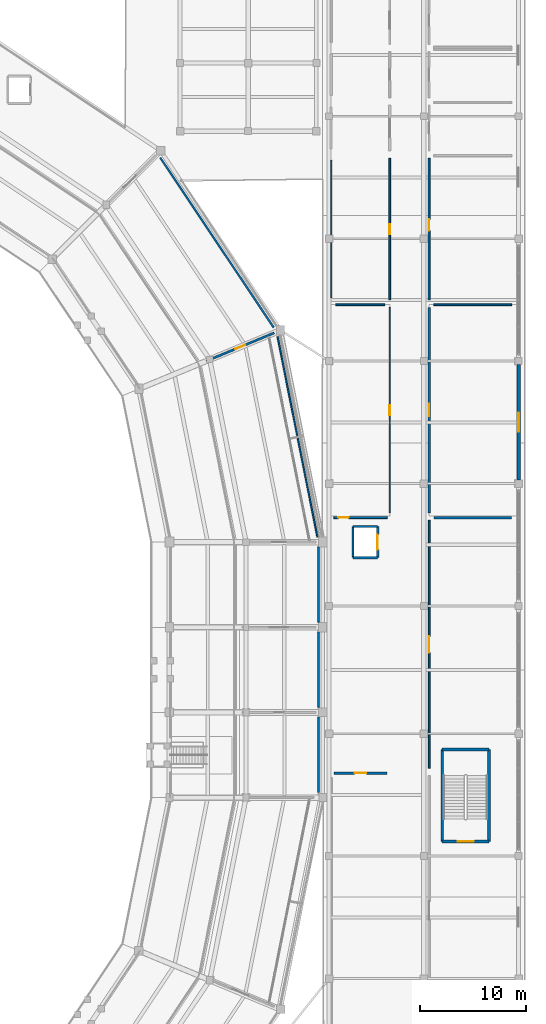
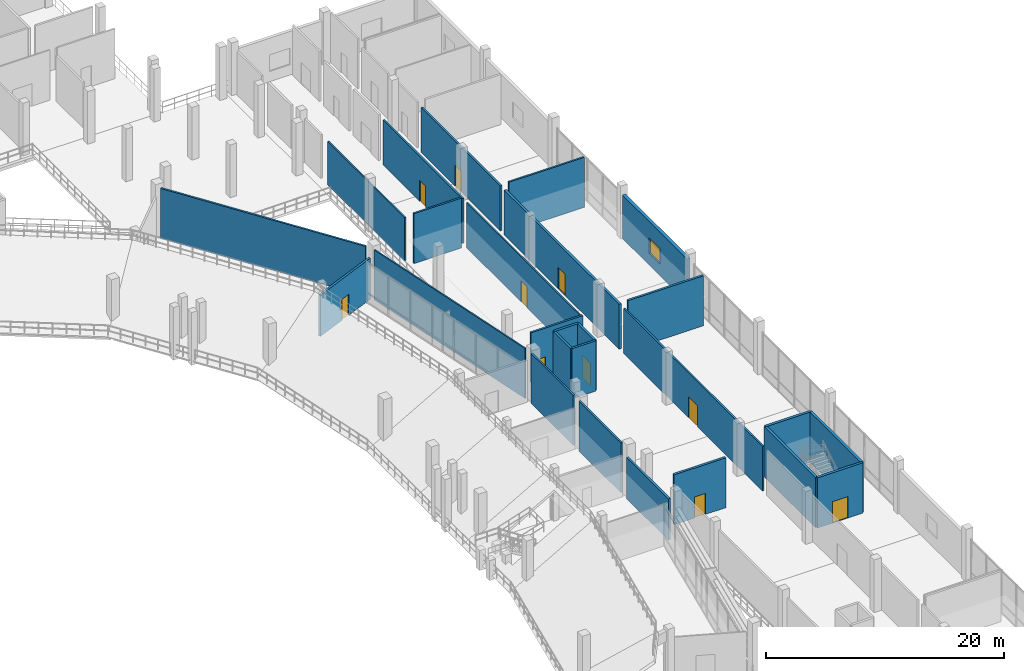
# One storey, part 81 of 127: 26 walls, 10 doors, 1 window, 11 openings.
"""IFC4 building model written with IfcOpenShell, lengths in metres."""

import ifcopenshell
import ifcopenshell.guid

model = None  # the IFC model being written
_history = None  # IfcOwnerHistory: only IFC2X3 demands one
_inside = {}  # id of a spatial element -> (the spatial element, [elements in it])
_under = {}  # id of a project, library or spatial element -> (it, [spatial elements below it])
_declared = {}  # id of a project -> (the project, [libraries it declares])
_typed = {}  # id of a type object -> (the type object, [elements of that type])
_made_of = {}  # id of a material, layer set ... -> (it, [elements and type objects made of it])


def new_model(schema):
    """Start an empty IFC model of exactly this schema.

    Asked for "IFC4X3", IfcOpenShell would pick the latest addendum, in which some entities
    have other attributes; the version numbers below select the first issue.
    IFC2X3 requires an IfcOwnerHistory on every rooted entity: one is made here for all.
    """
    global model, _history
    if schema == "IFC4X3":
        model = ifcopenshell.file(schema_version=(4, 3, 0, 0))
    else:
        model = ifcopenshell.file(schema=schema)
    _inside.clear()
    _under.clear()
    _declared.clear()
    _typed.clear()
    _made_of.clear()
    _history = None
    if model.schema == "IFC2X3":
        org = make("IfcOrganization", Name="unknown")
        user = make(
            "IfcPersonAndOrganization",
            ThePerson=make("IfcPerson", FamilyName="unknown"),
            TheOrganization=org,
        )
        app = make(
            "IfcApplication",
            ApplicationDeveloper=org,
            Version="unknown",
            ApplicationFullName="unknown",
            ApplicationIdentifier="unknown",
        )
        _history = make(
            "IfcOwnerHistory",
            OwningUser=user,
            OwningApplication=app,
            ChangeAction="ADDED",
            CreationDate=0,
        )
    return model


def make(cls, **values):
    """One entity of the class cls with the attributes given. An attribute that is None is left unset."""
    return model.create_entity(
        cls, **{name: value for name, value in values.items() if value is not None}
    )


def rooted(cls, **values):
    """An entity with a GlobalId (a new one), such as an element, a storey or a relation."""
    return make(cls, GlobalId=ifcopenshell.guid.new(), OwnerHistory=_history, **values)


def si_unit(unit_type, name, prefix=None):
    """IfcSIUnit, for example si_unit("LENGTHUNIT", "METRE", prefix="MILLI")."""
    return make("IfcSIUnit", UnitType=unit_type, Prefix=prefix, Name=name)


def assignment(units):
    """IfcUnitAssignment: the units of a project."""
    return None if units is None else make("IfcUnitAssignment", Units=units)


def point(xyz):
    """IfcCartesianPoint."""
    return None if xyz is None else make("IfcCartesianPoint", Coordinates=xyz)


def direction(xyz):
    """IfcDirection."""
    return None if xyz is None else make("IfcDirection", DirectionRatios=xyz)


def frame(location, z_axis=None, x_axis=None):
    """IfcAxis2Placement3D, a coordinate frame: its origin and axes. An axis left out is left unset."""
    return make(
        "IfcAxis2Placement3D",
        Location=point(location),
        Axis=direction(z_axis),
        RefDirection=direction(x_axis),
    )


def frame_2d(location, x_axis=None):
    """IfcAxis2Placement2D, a coordinate frame in the plane: its origin and x axis."""
    return make(
        "IfcAxis2Placement2D", Location=point(location), RefDirection=direction(x_axis)
    )


def origin():
    """The frame at (0, 0, 0) with its axes left unset."""
    return frame((0.0, 0.0, 0.0))


def place(relative_to, where):
    """IfcLocalPlacement: puts the frame where relative to a parent placement (None: the world)."""
    return make(
        "IfcLocalPlacement", PlacementRelTo=relative_to, RelativePlacement=where
    )


def context(
    kind, dimensions, precision=None, world=None, true_north=None, identifier=None
):
    """IfcGeometricRepresentationContext, for example the 3D "Model" context."""
    return make(
        "IfcGeometricRepresentationContext",
        ContextIdentifier=identifier,
        ContextType=kind,
        CoordinateSpaceDimension=dimensions,
        Precision=precision,
        WorldCoordinateSystem=world,
        TrueNorth=true_north,
    )


def subcontext(parent, identifier, kind, view, scale=None):
    """IfcGeometricRepresentationSubContext, for example "Body" below "Model"."""
    return make(
        "IfcGeometricRepresentationSubContext",
        ContextIdentifier=identifier,
        ContextType=kind,
        ParentContext=parent,
        TargetScale=scale,
        TargetView=view,
    )


def project(units=None, contexts=None):
    """IfcProject with its units and contexts."""
    return rooted(
        "IfcProject",
        Name="project",
        RepresentationContexts=contexts,
        UnitsInContext=assignment(units),
    )


def spatial(cls, under=None, at=None, **own):
    """A site, building, storey or space (cls), placed at a placement, below another one or the project."""
    s = rooted(cls, ObjectPlacement=at, **own)
    if under is not None:
        _under.setdefault(under.id(), (under, []))[1].append(s)
    return s


def profile(cls, at=None, kind="AREA", **sizes):
    """A parametric profile (cls). Its sizes go by their IFC names, for example OverallWidth=200.0."""
    return make(cls, ProfileType=kind, Position=at, **sizes)


def rectangle(**sizes):
    """IfcRectangleProfileDef."""
    return profile("IfcRectangleProfileDef", **sizes)


def extrude(swept, where, along, depth):
    """IfcExtrudedAreaSolid: the profile swept, set in the frame where, extruded along a direction by depth."""
    return make(
        "IfcExtrudedAreaSolid",
        SweptArea=swept,
        Position=where,
        ExtrudedDirection=direction(along),
        Depth=depth,
    )


def shape(context_of_items, identifier, shape_type, items):
    """IfcShapeRepresentation: the items that make up one representation, for example the "Body"."""
    return make(
        "IfcShapeRepresentation",
        ContextOfItems=context_of_items,
        RepresentationIdentifier=identifier,
        RepresentationType=shape_type,
        Items=items,
    )


def material(Name=None, Category=None):
    """IfcMaterial."""
    return make("IfcMaterial", Name=Name, Category=Category)


def layer(
    of_material, thickness, ventilated=None, Name=None, Category=None, Priority=None
):
    """IfcMaterialLayer: one layer of a wall or slab, of a material (None: an air gap)."""
    return make(
        "IfcMaterialLayer",
        Material=of_material,
        LayerThickness=thickness,
        IsVentilated=ventilated,
        Name=Name,
        Category=Category,
        Priority=Priority,
    )


def layer_set(layers, Name=None):
    """IfcMaterialLayerSet."""
    return make("IfcMaterialLayerSet", MaterialLayers=layers, LayerSetName=Name)


def made_of(thing, what):
    """Note that an element or type object is made of a material, layer set ...; save() writes the relation."""
    if what is not None:
        _made_of.setdefault(what.id(), (what, []))[1].append(thing)
    return thing


def type_object(cls, material=None, **own):
    """A type object (cls), such as IfcWallType, which elements share."""
    return made_of(rooted(cls, **own), material)


def element(
    cls,
    number,
    at=None,
    inside=None,
    cuts=None,
    type_object=None,
    material=None,
    context=None,
    identifier="Body",
    shape_type=None,
    held_by="IfcProductDefinitionShape",
    body=None,
    shapes=None,
    **own,
):
    """One element of the class cls, such as IfcWall. Its Tag is "e" and its number.

    at: its placement. inside: the storey or other place that contains it. cuts: it is an
    opening in that element (IfcRelVoidsElement). A single representation is given by context,
    identifier, shape_type and body (its items); several are given by shapes. held_by: the class
    of the entity that holds the representations. save() writes the other relations.
    """
    e = rooted(cls, Tag="e%d" % number, ObjectPlacement=at, **own)
    if body is not None:
        shapes = [shape(context, identifier, shape_type, body)]
    if shapes is not None:
        e.Representation = make(held_by, Representations=shapes)
    if inside is not None:
        _inside.setdefault(inside.id(), (inside, []))[1].append(e)
    if cuts is not None:
        rooted(
            "IfcRelVoidsElement", RelatingBuildingElement=cuts, RelatedOpeningElement=e
        )
    if type_object is not None:
        _typed.setdefault(type_object.id(), (type_object, []))[1].append(e)
    return made_of(e, material)


def fill(opening, filler):
    """IfcRelFillsElement: the door or window that sits in an opening."""
    return rooted(
        "IfcRelFillsElement",
        RelatingOpeningElement=opening,
        RelatedBuildingElement=filler,
    )


def aggregate(whole, parts):
    """IfcRelAggregates: a whole, such as a stair, and the parts it consists of."""
    return rooted("IfcRelAggregates", RelatingObject=whole, RelatedObjects=parts)


def save(model, path):
    """Write the relations noted so far, then the file.

    IfcRelAggregates (storeys below a building ...), IfcRelContainedInSpatialStructure (elements
    in a storey), IfcRelDefinesByType, IfcRelAssociatesMaterial and IfcRelDeclares: one each for
    every whole, place, type object, material and project.
    """
    for whole, parts in _under.values():
        aggregate(whole, parts)
    for where, things in _inside.values():
        rooted(
            "IfcRelContainedInSpatialStructure",
            RelatedElements=things,
            RelatingStructure=where,
        )
    for kind, things in _typed.values():
        rooted("IfcRelDefinesByType", RelatedObjects=things, RelatingType=kind)
    for what, things in _made_of.values():
        rooted("IfcRelAssociatesMaterial", RelatedObjects=things, RelatingMaterial=what)
    for by, libraries in _declared.values():
        rooted("IfcRelDeclares", RelatingContext=by, RelatedDefinitions=libraries)
    model.write(path)


model = new_model("IFC4")

# Units and contexts
model_context = context("Model", 3, precision=1e-05, world=origin(), true_north=direction((0.0, 1.0)))
body_context = subcontext(model_context, "Body", "Model", "MODEL_VIEW")
ifc_project = project(units=[si_unit("LENGTHUNIT", "METRE"), si_unit("AREAUNIT", "SQUARE_METRE"), si_unit("VOLUMEUNIT", "CUBIC_METRE"), si_unit("PLANEANGLEUNIT", "RADIAN"), si_unit("MASSUNIT", "GRAM", prefix="KILO")], contexts=[model_context])

# Site, building, storey
site_placement = place(None, origin())
site = spatial("IfcSite", under=ifc_project, at=site_placement, CompositionType="ELEMENT")
building_placement = place(site_placement, origin())
building = spatial("IfcBuilding", under=site, at=building_placement, Name="Candeia Ridge Stadium", CompositionType="ELEMENT")
storey_placement = place(building_placement, frame((0.0, 0.0, 10.800048828125)))
storey = spatial("IfcBuildingStorey", under=building, at=storey_placement, Name="L02", CompositionType="ELEMENT", Elevation=10.800048828125)

# Walls
ifc_material_1 = material(Name="Concrete C40/50", Category="concrete")
ifc_layer_1 = layer(ifc_material_1, 0.25, Name="Concrete C40/50", Category="concrete")
ifc_layer_set_1 = layer_set([ifc_layer_1], Name="Concrete C40/50")
wall_type_1 = type_object("IfcWallType", Name="Core Shear Wall Concrete 250", PredefinedType="SHEAR", material=ifc_layer_set_1)
wall_1_placement = place(storey_placement, frame((208.62451171875, 66.87548828125, 0.0), z_axis=(0.0, 0.0, 1.0), x_axis=(0.0, 1.0, 0.0)))
element("IfcWall", 1, at=wall_1_placement, inside=storey, type_object=wall_type_1, Name="Core C16 left shear wall L02", PredefinedType="SHEAR", context=body_context, shape_type="SweptSolid", body=[
    extrude(rectangle(XDim=8.649169921875, YDim=0.25, at=frame_2d((4.32470703125, 0.0))), origin(), (0.0, 0.0, 1.0), 5.14990234375),
])
wall_2_placement = place(storey_placement, frame((208.62451171875, 75.524658203125, 0.0), z_axis=(0.0, 0.0, 1.0), x_axis=(-1.0, 0.0, 0.0)))
element("IfcWall", 2, at=wall_2_placement, inside=storey, type_object=wall_type_1, Name="Core C16 far shear wall L02", PredefinedType="SHEAR", context=body_context, shape_type="SweptSolid", body=[
    extrude(rectangle(XDim=4.399169921875, YDim=0.25, at=frame_2d((2.19970703125, 0.0))), origin(), (0.0, 0.0, 1.0), 5.14990234375),
])
wall_3_placement = place(storey_placement, frame((204.225341796875, 75.524658203125, 0.0), z_axis=(0.0, 0.0, 1.0), x_axis=(0.0, -1.0, 0.0)))
element("IfcWall", 3, at=wall_3_placement, inside=storey, type_object=wall_type_1, Name="Core C16 right shear wall L02", PredefinedType="SHEAR", context=body_context, shape_type="SweptSolid", body=[
    extrude(rectangle(XDim=8.649169921875, YDim=0.25, at=frame_2d((4.32470703125, 0.0))), origin(), (0.0, 0.0, 1.0), 5.14990234375),
])

# Wall, opening, door
wall_4_placement = place(storey_placement, frame((204.225341796875, 66.87548828125, 0.0), z_axis=(0.0, 0.0, 1.0), x_axis=(1.0, 0.0, 0.0)))
wall_4 = element("IfcWall", 4, at=wall_4_placement, inside=storey, type_object=wall_type_1, Name="Core C16 near shear wall L02", PredefinedType="SHEAR", context=body_context, shape_type="SweptSolid", body=[
    extrude(rectangle(XDim=4.399169921875, YDim=0.25, at=frame_2d((2.19970703125, 0.0))), origin(), (0.0, 0.0, 1.0), 5.14990234375),
])
opening_1_placement = place(wall_4_placement, frame((1.44970703125, 0.0, 0.0)))
opening_1 = element("IfcOpeningElement", 5, at=opening_1_placement, cuts=wall_4, Name="Opening FD01", PredefinedType="OPENING", context=body_context, shape_type="SweptSolid", body=[
    extrude(rectangle(XDim=1.5, YDim=2.199951171875, at=frame_2d((0.75, 1.10009765625))), frame((0.0, 0.135009765625, 0.0), z_axis=(0.0, -1.0, 0.0), x_axis=(1.0, 0.0, 0.0)), (0.0, 0.0, 1.0), 0.27001953125),
])
ifc_material_2 = material(Name="Galvanized Fire-Rated Steel", Category="steel")
door_type_1 = type_object("IfcDoorType", Name="Exit Stair Core Fire Door 1500x2200", OperationType="NOTDEFINED", PredefinedType="DOOR", material=ifc_material_2)
door_1_placement = place(opening_1_placement, origin())
door_1 = element("IfcDoor", 6, at=door_1_placement, inside=storey, type_object=door_type_1, Name="Exit stair fire door SD-ST16-L02", OperationType="DOUBLE_DOOR_SINGLE_SWING", OverallHeight=2.199951171875, OverallWidth=1.5, PredefinedType="DOOR", context=body_context, shape_type="SweptSolid", body=[
    extrude(rectangle(XDim=1.5, YDim=2.199951171875, at=frame_2d((0.75, 1.10009765625))), frame((0.0, 0.02490234375, 0.0), z_axis=(0.0, -1.0, 0.0), x_axis=(1.0, 0.0, 0.0)), (0.0, 0.0, 1.0), 0.050048828125),
])
fill(opening_1, door_1)

# Wall
ifc_material_3 = material(Name="Gypsum Acoustic Twin-Stud Assembly", Category="gypsum")
ifc_layer_2 = layer(ifc_material_3, 0.179931640625, Name="Gypsum Acoustic Twin-Stud Assembly", Category="gypsum")
ifc_layer_set_2 = layer_set([ifc_layer_2], Name="Gypsum Acoustic Twin-Stud Assembly")
wall_type_2 = type_object("IfcWallType", Name="Corridor Fire Partition 180", PredefinedType="PARTITIONING", material=ifc_layer_set_2)
wall_5_placement = place(storey_placement, frame((177.73681640625, 131.112548828125, 0.0), z_axis=(0.0, 0.0, 1.0), x_axis=(0.555562946988, -0.831474480627, 0.0)))
element("IfcWall", 7, at=wall_5_placement, inside=storey, type_object=wall_type_2, Name="Demising partition PT-L02-0500", PredefinedType="PARTITIONING", context=body_context, shape_type="SweptSolid", body=[
    extrude(rectangle(XDim=19.1923828125, YDim=0.179931640625, at=frame_2d((9.59619140625, 0.0))), origin(), (0.0, 0.0, 1.0), 5.119873046875),
])

# Wall, opening, door
ifc_material_4 = material(Name="Moisture-Resistant Masonry & Tile", Category="masonry")
ifc_layer_3 = layer(ifc_material_4, 0.22998046875, Name="Moisture-Resistant Masonry & Tile", Category="masonry")
ifc_layer_set_3 = layer_set([ifc_layer_3], Name="Moisture-Resistant Masonry & Tile")
wall_type_3 = type_object("IfcWallType", Name="Dressing Suite Wet-Wall Chase 230", PredefinedType="PLUMBINGWALL", material=ifc_layer_set_3)
wall_6_placement = place(storey_placement, frame((194.050048828125, 73.300048828125, 0.0), z_axis=(0.0, 0.0, 1.0), x_axis=(1.0, 0.0, 0.0)))
wall_6 = element("IfcWall", 8, at=wall_6_placement, inside=storey, type_object=wall_type_3, Name="Interior partition PT-L02-0360", PredefinedType="PLUMBINGWALL", context=body_context, shape_type="SweptSolid", body=[
    extrude(rectangle(XDim=5.0, YDim=0.22998046875, at=frame_2d((2.5, 0.0))), origin(), (0.0, 0.0, 1.0), 5.119873046875),
])
opening_2_placement = place(wall_6_placement, frame((1.949951171875, 0.0, 0.0)))
opening_2 = element("IfcOpeningElement", 9, at=opening_2_placement, cuts=wall_6, Name="Opening FD04", PredefinedType="OPENING", context=body_context, shape_type="SweptSolid", body=[
    extrude(rectangle(XDim=1.10009765625, YDim=2.14990234375, at=frame_2d((0.550048828125, 1.074951171875))), frame((0.0, 0.125, 0.0), z_axis=(0.0, -1.0, 0.0), x_axis=(1.0, 0.0, 0.0)), (0.0, 0.0, 1.0), 0.25),
])
door_type_2 = type_object("IfcDoorType", Name="Plant & Riser Rated Door 1100x2150", OperationType="NOTDEFINED", PredefinedType="DOOR", material=ifc_material_2)
door_2_placement = place(opening_2_placement, origin())
door_2 = element("IfcDoor", 10, at=door_2_placement, inside=storey, type_object=door_type_2, Name="Interior room door D-L02-0187", OperationType="SINGLE_SWING_LEFT", OverallHeight=2.14990234375, OverallWidth=1.10009765625, PredefinedType="DOOR", context=body_context, shape_type="SweptSolid", body=[
    extrude(rectangle(XDim=1.10009765625, YDim=2.14990234375, at=frame_2d((0.550048828125, 1.074951171875))), frame((0.0, 0.02490234375, 0.0), z_axis=(0.0, -1.0, 0.0), x_axis=(1.0, 0.0, 0.0)), (0.0, 0.0, 1.0), 0.050048828125),
])
fill(opening_2, door_2)

wall_7_placement = place(storey_placement, frame((203.0, 97.75, 0.0), z_axis=(0.0, 0.0, 1.0), x_axis=(0.0, 1.0, 0.0)))
wall_7 = element("IfcWall", 11, at=wall_7_placement, inside=storey, type_object=wall_type_3, Name="Interior partition PT-L02-0369", PredefinedType="PLUMBINGWALL", context=body_context, shape_type="SweptSolid", body=[
    extrude(rectangle(XDim=19.300048828125, YDim=0.22998046875, at=frame_2d((9.64990234375, 0.0))), origin(), (0.0, 0.0, 1.0), 4.60498046875),
])
opening_3_placement = place(wall_7_placement, frame((9.074951171875, 0.0, 0.0)))
opening_3 = element("IfcOpeningElement", 12, at=opening_3_placement, cuts=wall_7, Name="Opening ID02", PredefinedType="OPENING", context=body_context, shape_type="SweptSolid", body=[
    extrude(rectangle(XDim=1.14990234375, YDim=2.199951171875, at=frame_2d((0.574951171875, 1.10009765625))), frame((0.0, 0.125, 0.0), z_axis=(0.0, -1.0, 0.0), x_axis=(1.0, 0.0, 0.0)), (0.0, 0.0, 1.0), 0.25),
])
ifc_material_5 = material(Name="Acoustic Timber Studio Leaf", Category="wood")
door_type_3 = type_object("IfcDoorType", Name="Broadcast & Press Studio Door 1150x2200", OperationType="NOTDEFINED", PredefinedType="DOOR", material=ifc_material_5)
door_3_placement = place(opening_3_placement, frame((1.14990234375, 0.0, 0.0), z_axis=(0.0, 0.0, 1.0), x_axis=(-1.0, 0.0, 0.0)))
door_3 = element("IfcDoor", 13, at=door_3_placement, inside=storey, type_object=door_type_3, Name="Interior room door D-L02-0192", OperationType="SINGLE_SWING_RIGHT", OverallHeight=2.199951171875, OverallWidth=1.14990234375, PredefinedType="DOOR", context=body_context, shape_type="SweptSolid", body=[
    extrude(rectangle(XDim=1.14990234375, YDim=2.199951171875, at=frame_2d((0.574951171875, 1.10009765625))), frame((0.0, 0.02490234375, 0.0), z_axis=(0.0, -1.0, 0.0), x_axis=(1.0, 0.0, 0.0)), (0.0, 0.0, 1.0), 0.050048828125),
])
fill(opening_3, door_3)

# Wall, opening, window
ifc_material_6 = material(Name="Concrete C35/45", Category="concrete")
ifc_layer_4 = layer(ifc_material_6, 0.320068359375, Name="Concrete C35/45", Category="concrete")
ifc_layer_set_4 = layer_set([ifc_layer_4], Name="Concrete C35/45")
wall_type_4 = type_object("IfcWallType", Name="Exterior Cedar-Clad Insulated Wall 320", PredefinedType="SOLIDWALL", material=ifc_layer_set_4)
wall_8_placement = place(storey_placement, frame((211.39990234375, 100.837890625, 0.0), z_axis=(0.0, 0.0, 1.0), x_axis=(0.0, 1.0, 0.0)))
wall_8 = element("IfcWall", 14, at=wall_8_placement, inside=storey, type_object=wall_type_4, Name="Exterior facade wall EW-L02-0147", PredefinedType="SOLIDWALL", context=body_context, shape_type="SweptSolid", body=[
    extrude(rectangle(XDim=10.84912109375, YDim=0.320068359375, at=frame_2d((5.424560546875, 0.0))), origin(), (0.0, 0.0, 1.0), 4.454833984375),
])
opening_4_placement = place(wall_8_placement, frame((4.5244140625, 0.0, 1.199951171875)))
opening_4 = element("IfcOpeningElement", 15, at=opening_4_placement, cuts=wall_8, Name="Opening W08", PredefinedType="OPENING", context=body_context, shape_type="SweptSolid", body=[
    extrude(rectangle(XDim=1.800048828125, YDim=1.60009765625, at=frame_2d((0.89990234375, 0.800048828125))), frame((0.0, 0.169921875, 0.0), z_axis=(0.0, -1.0, 0.0), x_axis=(1.0, 0.0, 0.0)), (0.0, 0.0, 1.0), 0.340087890625),
])
ifc_material_7 = material(Name="Tempered Solar-Control Double Glazing", Category="glass")
window_type = type_object("IfcWindowType", Name="Athlete Suite Window 1800x1600", PartitioningType="SINGLE_PANEL", PredefinedType="WINDOW", material=ifc_material_7)
window_placement = place(opening_4_placement, origin())
window = element("IfcWindow", 16, at=window_placement, inside=storey, type_object=window_type, Name="Exterior window WIN-L02-084", OverallHeight=1.60009765625, OverallWidth=1.800048828125, PartitioningType="SINGLE_PANEL", PredefinedType="WINDOW", context=body_context, shape_type="SweptSolid", body=[
    extrude(rectangle(XDim=1.800048828125, YDim=1.60009765625, at=frame_2d((0.89990234375, 0.800048828125))), frame((0.0, 0.030029296875, 0.0), z_axis=(0.0, -1.0, 0.0), x_axis=(1.0, 0.0, 0.0)), (0.0, 0.0, 1.0), 0.06005859375),
])
fill(opening_4, window)

# Wall, opening, door
ifc_material_8 = material(Name="Gypsum Metal-Stud Partition", Category="gypsum")
ifc_layer_5 = layer(ifc_material_8, 0.135009765625, Name="Gypsum Metal-Stud Partition", Category="gypsum")
ifc_layer_set_5 = layer_set([ifc_layer_5], Name="Gypsum Metal-Stud Partition")
wall_type_5 = type_object("IfcWallType", Name="General Room Partition 135", PredefinedType="PARTITIONING", material=ifc_layer_set_5)
wall_9_placement = place(storey_placement, frame((199.300048828125, 117.050048828125, 0.0), z_axis=(0.0, 0.0, 1.0), x_axis=(0.0, -1.0, 0.0)))
wall_9 = element("IfcWall", 17, at=wall_9_placement, inside=storey, type_object=wall_type_5, Name="Interior partition PT-L02-0367", PredefinedType="PARTITIONING", context=body_context, shape_type="SweptSolid", body=[
    extrude(rectangle(XDim=19.300048828125, YDim=0.135009765625, at=frame_2d((9.64990234375, 0.0))), origin(), (0.0, 0.0, 1.0), 4.60498046875),
])
opening_5_placement = place(wall_9_placement, frame((9.169921875, 0.0, 0.0)))
opening_5 = element("IfcOpeningElement", 18, at=opening_5_placement, cuts=wall_9, Name="Opening ID17", PredefinedType="OPENING", context=body_context, shape_type="SweptSolid", body=[
    extrude(rectangle(XDim=0.9599609375, YDim=2.14990234375, at=frame_2d((0.47998046875, 1.074951171875))), frame((0.0, 0.077392578125, 0.0), z_axis=(0.0, -1.0, 0.0), x_axis=(1.0, 0.0, 0.0)), (0.0, 0.0, 1.0), 0.155029296875),
])
ifc_material_9 = material(Name="Solid Core Cedar Veneer", Category="wood")
door_type_4 = type_object("IfcDoorType", Name="Ticketing Office Single Door 960x2150", OperationType="NOTDEFINED", PredefinedType="DOOR", material=ifc_material_9)
door_4_placement = place(opening_5_placement, frame((0.9599609375, 0.0, 0.0), z_axis=(0.0, 0.0, 1.0), x_axis=(-1.0, 0.0, 0.0)))
door_4 = element("IfcDoor", 19, at=door_4_placement, inside=storey, type_object=door_type_4, Name="Interior room door D-L02-0191", OperationType="SINGLE_SWING_LEFT", OverallHeight=2.14990234375, OverallWidth=0.9599609375, PredefinedType="DOOR", context=body_context, shape_type="SweptSolid", body=[
    extrude(rectangle(XDim=0.9599609375, YDim=2.14990234375, at=frame_2d((0.47998046875, 1.074951171875))), frame((0.0, 0.02490234375, 0.0), z_axis=(0.0, -1.0, 0.0), x_axis=(1.0, 0.0, 0.0)), (0.0, 0.0, 1.0), 0.050048828125),
])
fill(opening_5, door_4)

ifc_layer_6 = layer(ifc_material_3, 0.1650390625, Name="Gypsum Acoustic Twin-Stud Assembly", Category="gypsum")
ifc_layer_set_6 = layer_set([ifc_layer_6], Name="Gypsum Acoustic Twin-Stud Assembly")
wall_type_6 = type_object("IfcWallType", Name="Hospitality Suite Acoustic Wall 165", PredefinedType="PARTITIONING", material=ifc_layer_set_6)
wall_10_placement = place(storey_placement, frame((203.0, 73.75, 0.0), z_axis=(0.0, 0.0, 1.0), x_axis=(0.0, 1.0, 0.0)))
wall_10 = element("IfcWall", 20, at=wall_10_placement, inside=storey, type_object=wall_type_6, Name="Interior partition PT-L02-0365", PredefinedType="PARTITIONING", context=body_context, shape_type="SweptSolid", body=[
    extrude(rectangle(XDim=23.300048828125, YDim=0.1650390625, at=frame_2d((11.64990234375, 0.0))), origin(), (0.0, 0.0, 1.0), 4.60498046875),
])
opening_6_placement = place(wall_10_placement, frame((10.875, 0.0, 0.0)))
opening_6 = element("IfcOpeningElement", 21, at=opening_6_placement, cuts=wall_10, Name="Opening ID14", PredefinedType="OPENING", context=body_context, shape_type="SweptSolid", body=[
    extrude(rectangle(XDim=1.550048828125, YDim=2.14990234375, at=frame_2d((0.77490234375, 1.074951171875))), frame((0.0, 0.092529296875, 0.0), z_axis=(0.0, -1.0, 0.0), x_axis=(1.0, 0.0, 0.0)), (0.0, 0.0, 1.0), 0.18505859375),
])
ifc_material_10 = material(Name="Brushed Stainless Steel", Category="steel")
door_type_5 = type_object("IfcDoorType", Name="Catering Kitchen Double Door 1550x2150", OperationType="NOTDEFINED", PredefinedType="DOOR", material=ifc_material_10)
door_5_placement = place(opening_6_placement, origin())
door_5 = element("IfcDoor", 22, at=door_5_placement, inside=storey, type_object=door_type_5, Name="Interior room door D-L02-0190", OperationType="DOUBLE_DOOR_SINGLE_SWING", OverallHeight=2.14990234375, OverallWidth=1.550048828125, PredefinedType="DOOR", context=body_context, shape_type="SweptSolid", body=[
    extrude(rectangle(XDim=1.550048828125, YDim=2.14990234375, at=frame_2d((0.77490234375, 1.074951171875))), frame((0.0, 0.02490234375, 0.0), z_axis=(0.0, -1.0, 0.0), x_axis=(1.0, 0.0, 0.0)), (0.0, 0.0, 1.0), 0.050048828125),
])
fill(opening_6, door_5)

# Wall
ifc_layer_7 = layer(ifc_material_1, 0.219970703125, Name="Concrete C40/50", Category="concrete")
ifc_layer_set_7 = layer_set([ifc_layer_7], Name="Concrete C40/50")
wall_type_7 = type_object("IfcWallType", Name="Lift & Riser Shaft Wall 220", PredefinedType="SHEAR", material=ifc_layer_set_7)
wall_11_placement = place(storey_placement, frame((195.840087890625, 93.5400390625, 0.0), z_axis=(0.0, 0.0, 1.0), x_axis=(1.0, 0.0, 0.0)))
element("IfcWall", 23, at=wall_11_placement, inside=storey, type_object=wall_type_7, Name="Lift GL2 shaft wall L02 south", PredefinedType="SHEAR", context=body_context, shape_type="SweptSolid", body=[
    extrude(rectangle(XDim=2.31982421875, YDim=0.219970703125, at=frame_2d((1.159912109375, 0.0))), origin(), (0.0, 0.0, 1.0), 5.14990234375),
])

# Wall, opening, door
wall_12_placement = place(storey_placement, frame((198.159912109375, 93.5400390625, 0.0), z_axis=(0.0, 0.0, 1.0), x_axis=(0.0, 1.0, 0.0)))
wall_12 = element("IfcWall", 24, at=wall_12_placement, inside=storey, type_object=wall_type_7, Name="Lift GL2 shaft wall L02 east", PredefinedType="SHEAR", context=body_context, shape_type="SweptSolid", body=[
    extrude(rectangle(XDim=2.919921875, YDim=0.219970703125, at=frame_2d((1.4599609375, 0.0))), origin(), (0.0, 0.0, 1.0), 5.14990234375),
])
opening_7_placement = place(wall_12_placement, frame((0.760009765625, 0.0, 0.0)))
opening_7 = element("IfcOpeningElement", 25, at=opening_7_placement, cuts=wall_12, Name="Opening LD03", PredefinedType="OPENING", context=body_context, shape_type="SweptSolid", body=[
    extrude(rectangle(XDim=1.39990234375, YDim=2.300048828125, at=frame_2d((0.699951171875, 1.14990234375))), frame((0.0, 0.119873046875, 0.0), z_axis=(0.0, -1.0, 0.0), x_axis=(1.0, 0.0, 0.0)), (0.0, 0.0, 1.0), 0.239990234375),
])
door_type_6 = type_object("IfcDoorType", Name="Goods Lift Landing Door 1400x2300", OperationType="NOTDEFINED", PredefinedType="DOOR", material=ifc_material_10)
door_6_placement = place(opening_7_placement, origin())
door_6 = element("IfcDoor", 26, at=door_6_placement, inside=storey, type_object=door_type_6, Name="Lift landing sliding door LD-GL2-L02", OperationType="DOUBLE_DOOR_SLIDING", OverallHeight=2.300048828125, OverallWidth=1.39990234375, PredefinedType="DOOR", context=body_context, shape_type="SweptSolid", body=[
    extrude(rectangle(XDim=1.39990234375, YDim=2.300048828125, at=frame_2d((0.699951171875, 1.14990234375))), frame((0.0, 0.02490234375, 0.0), z_axis=(0.0, -1.0, 0.0), x_axis=(1.0, 0.0, 0.0)), (0.0, 0.0, 1.0), 0.050048828125),
])
fill(opening_7, door_6)

# Walls
wall_13_placement = place(storey_placement, frame((198.159912109375, 96.4599609375, 0.0), z_axis=(0.0, 0.0, 1.0), x_axis=(-1.0, 0.0, 0.0)))
element("IfcWall", 27, at=wall_13_placement, inside=storey, type_object=wall_type_7, Name="Lift GL2 shaft wall L02 north", PredefinedType="SHEAR", context=body_context, shape_type="SweptSolid", body=[
    extrude(rectangle(XDim=2.31982421875, YDim=0.219970703125, at=frame_2d((1.159912109375, 0.0))), origin(), (0.0, 0.0, 1.0), 5.14990234375),
])
wall_14_placement = place(storey_placement, frame((195.840087890625, 96.4599609375, 0.0), z_axis=(0.0, 0.0, 1.0), x_axis=(0.0, -1.0, 0.0)))
element("IfcWall", 28, at=wall_14_placement, inside=storey, type_object=wall_type_7, Name="Lift GL2 shaft wall L02 west", PredefinedType="SHEAR", context=body_context, shape_type="SweptSolid", body=[
    extrude(rectangle(XDim=2.919921875, YDim=0.219970703125, at=frame_2d((1.4599609375, 0.0))), origin(), (0.0, 0.0, 1.0), 5.14990234375),
])

# Wall, opening, door
ifc_material_11 = material(Name="Gypsum Acoustic Triple-Board Wall", Category="gypsum")
ifc_layer_8 = layer(ifc_material_11, 0.18505859375, Name="Gypsum Acoustic Triple-Board Wall", Category="gypsum")
ifc_layer_set_8 = layer_set([ifc_layer_8], Name="Gypsum Acoustic Triple-Board Wall")
wall_type_8 = type_object("IfcWallType", Name="Media Booth Studio Divider 185", PredefinedType="PARTITIONING", material=ifc_layer_set_8)
wall_15_placement = place(storey_placement, frame((194.050048828125, 97.300048828125, 0.0), z_axis=(0.0, 0.0, 1.0), x_axis=(1.0, 0.0, 0.0)))
wall_15 = element("IfcWall", 29, at=wall_15_placement, inside=storey, type_object=wall_type_8, Name="Interior partition PT-L02-0364", PredefinedType="PARTITIONING", context=body_context, shape_type="SweptSolid", body=[
    extrude(rectangle(XDim=5.0, YDim=0.18505859375, at=frame_2d((2.5, 0.0))), origin(), (0.0, 0.0, 1.0), 5.119873046875),
])
opening_8_placement = place(wall_15_placement, frame((0.409912109375, 0.0, 0.0)))
opening_8 = element("IfcOpeningElement", 30, at=opening_8_placement, cuts=wall_15, Name="Opening ID12", PredefinedType="OPENING", context=body_context, shape_type="SweptSolid", body=[
    extrude(rectangle(XDim=0.97998046875, YDim=2.14990234375, at=frame_2d((0.489990234375, 1.074951171875))), frame((0.0, 0.1025390625, 0.0), z_axis=(0.0, -1.0, 0.0), x_axis=(1.0, 0.0, 0.0)), (0.0, 0.0, 1.0), 0.205078125),
])
door_type_7 = type_object("IfcDoorType", Name="Commentary Booth Acoustic Door 980x2150", OperationType="NOTDEFINED", PredefinedType="DOOR", material=ifc_material_5)
door_7_placement = place(opening_8_placement, origin())
door_7 = element("IfcDoor", 31, at=door_7_placement, inside=storey, type_object=door_type_7, Name="Interior room door D-L02-0189", OperationType="SINGLE_SWING_RIGHT", OverallHeight=2.14990234375, OverallWidth=0.97998046875, PredefinedType="DOOR", context=body_context, shape_type="SweptSolid", body=[
    extrude(rectangle(XDim=0.97998046875, YDim=2.14990234375, at=frame_2d((0.489990234375, 1.074951171875))), frame((0.0, 0.02490234375, 0.0), z_axis=(0.0, -1.0, 0.0), x_axis=(1.0, 0.0, 0.0)), (0.0, 0.0, 1.0), 0.050048828125),
])
fill(opening_8, door_7)

wall_16_placement = place(storey_placement, frame((203.0, 117.75, 0.0), z_axis=(0.0, 0.0, 1.0), x_axis=(0.0, 1.0, 0.0)))
wall_16 = element("IfcWall", 32, at=wall_16_placement, inside=storey, type_object=wall_type_8, Name="Interior partition PT-L02-0373", PredefinedType="PARTITIONING", context=body_context, shape_type="SweptSolid", body=[
    extrude(rectangle(XDim=13.300048828125, YDim=0.18505859375, at=frame_2d((6.64990234375, 0.0))), origin(), (0.0, 0.0, 1.0), 4.60498046875),
])
opening_9_placement = place(wall_16_placement, frame((6.5, 0.0, 0.0)))
opening_9 = element("IfcOpeningElement", 33, at=opening_9_placement, cuts=wall_16, Name="Opening FD04", PredefinedType="OPENING", context=body_context, shape_type="SweptSolid", body=[
    extrude(rectangle(XDim=1.10009765625, YDim=2.14990234375, at=frame_2d((0.550048828125, 1.074951171875))), frame((0.0, 0.1025390625, 0.0), z_axis=(0.0, -1.0, 0.0), x_axis=(1.0, 0.0, 0.0)), (0.0, 0.0, 1.0), 0.205078125),
])
door_8_placement = place(opening_9_placement, origin())
door_8 = element("IfcDoor", 34, at=door_8_placement, inside=storey, type_object=door_type_2, Name="Interior room door D-L02-0194", OperationType="SINGLE_SWING_RIGHT", OverallHeight=2.14990234375, OverallWidth=1.10009765625, PredefinedType="DOOR", context=body_context, shape_type="SweptSolid", body=[
    extrude(rectangle(XDim=1.10009765625, YDim=2.14990234375, at=frame_2d((0.550048828125, 1.074951171875))), frame((0.0, 0.02490234375, 0.0), z_axis=(0.0, -1.0, 0.0), x_axis=(1.0, 0.0, 0.0)), (0.0, 0.0, 1.0), 0.050048828125),
])
fill(opening_9, door_8)

# Walls
ifc_layer_9 = layer(ifc_material_3, 0.175048828125, Name="Gypsum Acoustic Twin-Stud Assembly", Category="gypsum")
ifc_layer_set_9 = layer_set([ifc_layer_9], Name="Gypsum Acoustic Twin-Stud Assembly")
wall_type_9 = type_object("IfcWallType", Name="Museum Acoustic Gallery Wall 175", PredefinedType="PARTITIONING", material=ifc_layer_set_9)
wall_17_placement = place(storey_placement, frame((194.25, 117.300048828125, 0.0), z_axis=(0.0, 0.0, 1.0), x_axis=(1.0, 0.0, 0.0)))
element("IfcWall", 35, at=wall_17_placement, inside=storey, type_object=wall_type_9, Name="Demising partition PT-L02-0368", PredefinedType="PARTITIONING", context=body_context, shape_type="SweptSolid", body=[
    extrude(rectangle(XDim=4.60009765625, YDim=0.175048828125, at=frame_2d((2.300048828125, 0.0))), origin(), (0.0, 0.0, 1.0), 5.119873046875),
])
wall_18_placement = place(storey_placement, frame((192.60009765625, 86.550048828125, 0.0), z_axis=(0.0, 0.0, 1.0), x_axis=(0.0, -1.0, 0.0)))
element("IfcWall", 36, at=wall_18_placement, inside=storey, type_object=wall_type_9, Name="Demising partition PT-L02-0494", PredefinedType="PARTITIONING", context=body_context, shape_type="SweptSolid", body=[
    extrude(rectangle(XDim=7.06005859375, YDim=0.175048828125, at=frame_2d((3.530029296875, 0.0))), origin(), (0.0, 0.0, 1.0), 5.119873046875),
])
ifc_layer_10 = layer(ifc_material_4, 0.2099609375, Name="Moisture-Resistant Masonry & Tile", Category="masonry")
ifc_layer_set_10 = layer_set([ifc_layer_10], Name="Moisture-Resistant Masonry & Tile")
wall_type_10 = type_object("IfcWallType", Name="Sanitary Wet-Wall Plumbing Chase 210", PredefinedType="PLUMBINGWALL", material=ifc_layer_set_10)
wall_19_placement = place(storey_placement, frame((203.449951171875, 97.300048828125, 0.0), z_axis=(0.0, 0.0, 1.0), x_axis=(1.0, 0.0, 0.0)))
element("IfcWall", 37, at=wall_19_placement, inside=storey, type_object=wall_type_10, Name="Demising partition PT-L02-0366", PredefinedType="PLUMBINGWALL", context=body_context, shape_type="SweptSolid", body=[
    extrude(rectangle(XDim=7.300048828125, YDim=0.2099609375, at=frame_2d((3.64990234375, 0.0))), origin(), (0.0, 0.0, 1.0), 5.119873046875),
])
wall_20_placement = place(storey_placement, frame((192.60009765625, 78.550048828125, 0.0), z_axis=(0.0, 0.0, 1.0), x_axis=(0.0, -1.0, 0.0)))
element("IfcWall", 38, at=wall_20_placement, inside=storey, type_object=wall_type_10, Name="Demising partition PT-L02-0492", PredefinedType="PLUMBINGWALL", context=body_context, shape_type="SweptSolid", body=[
    extrude(rectangle(XDim=7.06005859375, YDim=0.2099609375, at=frame_2d((3.530029296875, 0.0))), origin(), (0.0, 0.0, 1.0), 4.21484375),
])

# Wall, opening, door
wall_21_placement = place(storey_placement, frame((182.06640625, 112.01025390625, 0.0), z_axis=(0.0, 0.0, 1.0), x_axis=(0.923873656974, 0.38269761686, 0.0)))
wall_21 = element("IfcWall", 39, at=wall_21_placement, inside=storey, type_object=wall_type_10, Name="Interior partition PT-L02-0497", PredefinedType="PLUMBINGWALL", context=body_context, shape_type="SweptSolid", body=[
    extrude(rectangle(XDim=6.900146484375, YDim=0.2099609375, at=frame_2d((3.4501953125, 0.0))), origin(), (0.0, 0.0, 1.0), 4.21484375),
])
opening_10_placement = place(wall_21_placement, frame((2.969970703125, 0.0, 0.0)))
opening_10 = element("IfcOpeningElement", 40, at=opening_10_placement, cuts=wall_21, Name="Opening ID17", PredefinedType="OPENING", context=body_context, shape_type="SweptSolid", body=[
    extrude(rectangle(XDim=0.9599609375, YDim=2.14990234375, at=frame_2d((0.47998046875, 1.074951171875))), frame((0.0, 0.114990234375, 0.0), z_axis=(0.0, -1.0, 0.0), x_axis=(1.0, 0.0, 0.0)), (0.0, 0.0, 1.0), 0.22998046875),
])
door_9_placement = place(opening_10_placement, origin())
door_9 = element("IfcDoor", 41, at=door_9_placement, inside=storey, type_object=door_type_4, Name="Interior room door D-L02-0256", OperationType="SINGLE_SWING_RIGHT", OverallHeight=2.14990234375, OverallWidth=0.9599609375, PredefinedType="DOOR", context=body_context, shape_type="SweptSolid", body=[
    extrude(rectangle(XDim=0.9599609375, YDim=2.14990234375, at=frame_2d((0.47998046875, 1.074951171875))), frame((0.0, 0.02490234375, 0.0), z_axis=(0.0, -1.0, 0.0), x_axis=(1.0, 0.0, 0.0)), (0.0, 0.0, 1.0), 0.050048828125),
])
fill(opening_10, door_9)

# Wall
ifc_layer_11 = layer(ifc_material_3, 0.169921875, Name="Gypsum Acoustic Twin-Stud Assembly", Category="gypsum")
ifc_layer_set_11 = layer_set([ifc_layer_11], Name="Gypsum Acoustic Twin-Stud Assembly")
wall_type_11 = type_object("IfcWallType", Name="Skybox Demising Acoustic Wall 170", PredefinedType="PARTITIONING", material=ifc_layer_set_11)
wall_22_placement = place(storey_placement, frame((203.449951171875, 117.300048828125, 0.0), z_axis=(0.0, 0.0, 1.0), x_axis=(1.0, 0.0, 0.0)))
element("IfcWall", 42, at=wall_22_placement, inside=storey, type_object=wall_type_11, Name="Demising partition PT-L02-0370", PredefinedType="PARTITIONING", context=body_context, shape_type="SweptSolid", body=[
    extrude(rectangle(XDim=7.300048828125, YDim=0.169921875, at=frame_2d((3.64990234375, 0.0))), origin(), (0.0, 0.0, 1.0), 5.119873046875),
])

# Wall, opening, door
wall_23_placement = place(storey_placement, frame((199.300048828125, 131.050048828125, 0.0), z_axis=(0.0, 0.0, 1.0), x_axis=(0.0, -1.0, 0.0)))
wall_23 = element("IfcWall", 43, at=wall_23_placement, inside=storey, type_object=wall_type_11, Name="Interior partition PT-L02-0371", PredefinedType="PARTITIONING", context=body_context, shape_type="SweptSolid", body=[
    extrude(rectangle(XDim=13.300048828125, YDim=0.169921875, at=frame_2d((6.64990234375, 0.0))), origin(), (0.0, 0.0, 1.0), 4.60498046875),
])
opening_11_placement = place(wall_23_placement, frame((6.175048828125, 0.0, 0.0)))
opening_11 = element("IfcOpeningElement", 44, at=opening_11_placement, cuts=wall_23, Name="Opening ID05", PredefinedType="OPENING", context=body_context, shape_type="SweptSolid", body=[
    extrude(rectangle(XDim=0.949951171875, YDim=2.14990234375, at=frame_2d((0.47509765625, 1.074951171875))), frame((0.0, 0.094970703125, 0.0), z_axis=(0.0, -1.0, 0.0), x_axis=(1.0, 0.0, 0.0)), (0.0, 0.0, 1.0), 0.18994140625),
])
door_type_8 = type_object("IfcDoorType", Name="General Room Single Door 950x2150", OperationType="NOTDEFINED", PredefinedType="DOOR", material=ifc_material_9)
door_10_placement = place(opening_11_placement, origin())
door_10 = element("IfcDoor", 45, at=door_10_placement, inside=storey, type_object=door_type_8, Name="Interior room door D-L02-0193", OperationType="SINGLE_SWING_LEFT", OverallHeight=2.14990234375, OverallWidth=0.949951171875, PredefinedType="DOOR", context=body_context, shape_type="SweptSolid", body=[
    extrude(rectangle(XDim=0.949951171875, YDim=2.14990234375, at=frame_2d((0.47509765625, 1.074951171875))), frame((0.0, 0.02490234375, 0.0), z_axis=(0.0, -1.0, 0.0), x_axis=(1.0, 0.0, 0.0)), (0.0, 0.0, 1.0), 0.050048828125),
])
fill(opening_11, door_10)

# Walls
wall_24_placement = place(storey_placement, frame((192.60009765625, 94.550048828125, 0.0), z_axis=(0.0, 0.0, 1.0), x_axis=(0.0, -1.0, 0.0)))
element("IfcWall", 46, at=wall_24_placement, inside=storey, type_object=wall_type_11, Name="Demising partition PT-L02-0496", PredefinedType="PARTITIONING", context=body_context, shape_type="SweptSolid", body=[
    extrude(rectangle(XDim=7.06005859375, YDim=0.169921875, at=frame_2d((3.530029296875, 0.0))), origin(), (0.0, 0.0, 1.0), 5.119873046875),
])
ifc_layer_12 = layer(ifc_material_8, 0.1298828125, Name="Gypsum Metal-Stud Partition", Category="gypsum")
ifc_layer_set_12 = layer_set([ifc_layer_12], Name="Gypsum Metal-Stud Partition")
wall_type_12 = type_object("IfcWallType", Name="Ticketing Back-Office Partition 130", PredefinedType="PARTITIONING", material=ifc_layer_set_12)
wall_25_placement = place(storey_placement, frame((193.800048828125, 117.949951171875, 0.0), z_axis=(0.0, 0.0, 1.0), x_axis=(0.0, 1.0, 0.0)))
element("IfcWall", 47, at=wall_25_placement, inside=storey, type_object=wall_type_12, Name="Demising partition PT-L02-0372", PredefinedType="PARTITIONING", context=body_context, shape_type="SweptSolid", body=[
    extrude(rectangle(XDim=12.900146484375, YDim=0.1298828125, at=frame_2d((6.4501953125, 0.0))), origin(), (0.0, 0.0, 1.0), 4.454833984375),
])
wall_26_placement = place(storey_placement, frame((188.760009765625, 114.30517578125, 0.0), z_axis=(0.0, 0.0, 1.0), x_axis=(0.195083697793, -0.98078659802, 0.0)))
element("IfcWall", 48, at=wall_26_placement, inside=storey, type_object=wall_type_12, Name="Demising partition PT-L02-0498", PredefinedType="PARTITIONING", context=body_context, shape_type="SweptSolid", body=[
    extrude(rectangle(XDim=19.1923828125, YDim=0.1298828125, at=frame_2d((9.59619140625, 0.0))), origin(), (0.0, 0.0, 1.0), 5.119873046875),
])

save(model, "model.ifc")
